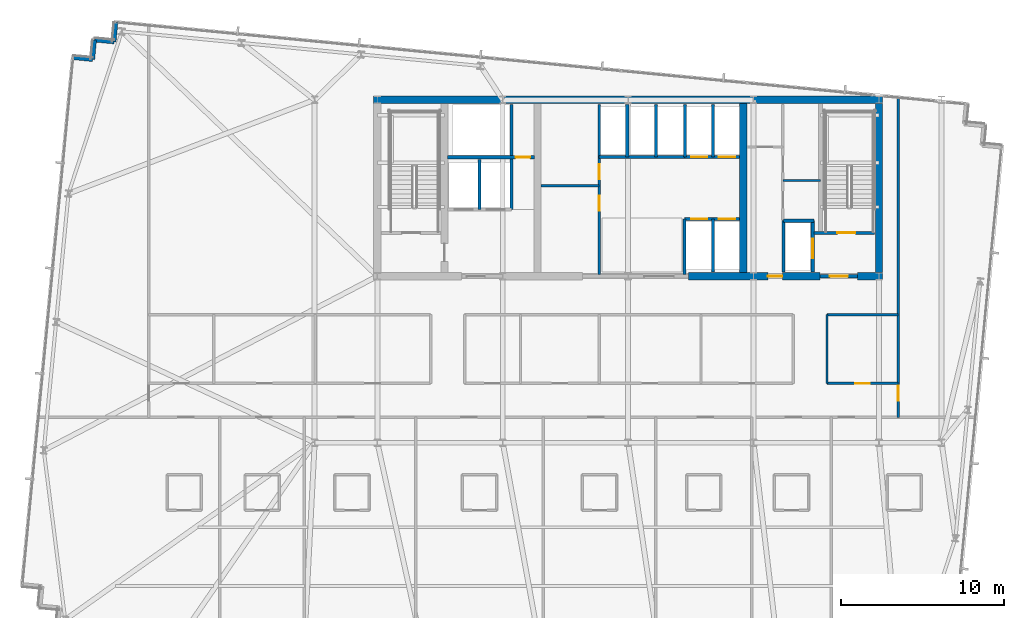
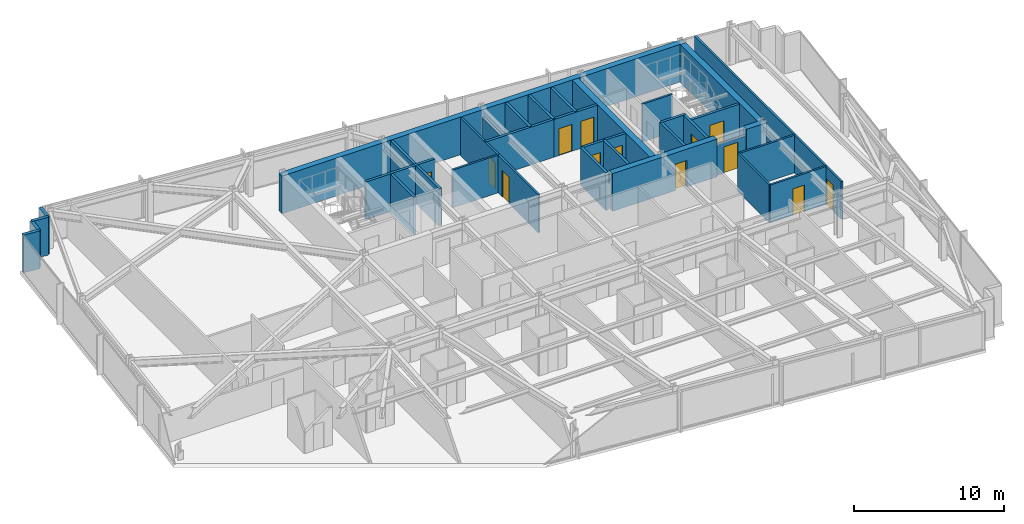
# One storey, part 31 of 38: 33 walls, 13 doors, 13 openings.
"""IFC4 building model written with IfcOpenShell, lengths in metres."""

from ifc_helpers import new_model, si_unit, direction, frame, frame_2d, origin, place, context, subcontext, project, spatial, rectangle, extrude, material, layer, layer_set, type_object, element, fill, save


model = new_model("IFC4")

# Units and contexts
model_context = context("Model", 3, precision=1e-05, world=origin(), true_north=direction((0.0, 1.0)))
body_context = subcontext(model_context, "Body", "Model", "MODEL_VIEW")
ifc_project = project(units=[si_unit("LENGTHUNIT", "METRE"), si_unit("AREAUNIT", "SQUARE_METRE"), si_unit("VOLUMEUNIT", "CUBIC_METRE"), si_unit("PLANEANGLEUNIT", "RADIAN"), si_unit("MASSUNIT", "GRAM", prefix="KILO")], contexts=[model_context])

# Site, building, storey
site_placement = place(None, origin())
site = spatial("IfcSite", under=ifc_project, at=site_placement, CompositionType="ELEMENT")
building_placement = place(site_placement, origin())
building = spatial("IfcBuilding", under=site, at=building_placement, Name="Yelkora Congress Tower", CompositionType="ELEMENT")
storey_placement = place(building_placement, frame((0.0, 0.0, 172.10009765625)))
storey = spatial("IfcBuildingStorey", under=building, at=storey_placement, Name="L47", CompositionType="ELEMENT", Elevation=172.10009765625)

# Wall
ifc_material_1 = material(Name="Concrete C60/75", Category="concrete")
ifc_layer_1 = layer(ifc_material_1, 0.449951171875)
ifc_layer_set_1 = layer_set([ifc_layer_1], Name="Concrete C60/75")
wall_type_1 = type_object("IfcWallType", Name="WALL-CORE-INT-450", PredefinedType="SHEAR", material=ifc_layer_set_1)
wall_1_placement = place(storey_placement, frame((22.81494140625, 46.199951171875, 0.0), z_axis=(0.0, 0.0, 1.0), x_axis=(1.0, 0.0, 0.0)))
element("IfcWall", 1, at=wall_1_placement, inside=storey, type_object=wall_type_1, Name="L47 Rear Core North Shear Wall", PredefinedType="SHEAR", context=body_context, shape_type="SweptSolid", body=[
    extrude(rectangle(XDim=31.170166015625, YDim=0.449951171875, at=frame_2d((15.5849609375, 0.0))), origin(), (0.0, 0.0, 1.0), 3.079833984375),
])

# Wall, opening, door
wall_2_placement = place(storey_placement, frame((42.10009765625, 35.39990234375, 0.0), z_axis=(0.0, 0.0, 1.0), x_axis=(1.0, 0.0, 0.0)))
wall_2 = element("IfcWall", 2, at=wall_2_placement, inside=storey, type_object=wall_type_1, Name="L47 Rear Core South-East Shear Wall A", PredefinedType="SHEAR", context=body_context, shape_type="SweptSolid", body=[
    extrude(rectangle(XDim=8.0498046875, YDim=0.449951171875, at=frame_2d((4.02490234375, 0.0))), origin(), (0.0, 0.0, 1.0), 3.079833984375),
])
opening_1_placement = place(wall_2_placement, frame((4.85009765625, 0.0, 0.0)))
opening_1 = element("IfcOpeningElement", 3, at=opening_1_placement, cuts=wall_2, Name="Opening DR-090F6", PredefinedType="OPENING", context=body_context, shape_type="SweptSolid", body=[
    extrude(rectangle(XDim=0.89990234375, YDim=2.14990234375, at=frame_2d((0.449951171875, 1.074951171875))), frame((0.0, 0.23486328125, 0.0), z_axis=(0.0, -1.0, 0.0), x_axis=(1.0, 0.0, 0.0)), (0.0, 0.0, 1.0), 0.469970703125),
])
ifc_material_2 = material(Name="Painted steel riser fire door leaf", Category="steel")
door_type_1 = type_object("IfcDoorType", Name="DOOR-FD60-900", OperationType="NOTDEFINED", PredefinedType="DOOR", material=ifc_material_2)
door_1_placement = place(opening_1_placement, origin())
door_1 = element("IfcDoor", 4, at=door_1_placement, inside=storey, type_object=door_type_1, Name="L47 Core Washroom Lobby Door", OperationType="SINGLE_SWING_RIGHT", OverallHeight=2.14990234375, OverallWidth=0.89990234375, PredefinedType="DOOR", context=body_context, shape_type="SweptSolid", body=[
    extrude(rectangle(XDim=0.89990234375, YDim=2.14990234375, at=frame_2d((0.449951171875, 1.074951171875))), frame((0.0, 0.02490234375, 0.0), z_axis=(0.0, -1.0, 0.0), x_axis=(1.0, 0.0, 0.0)), (0.0, 0.0, 1.0), 0.050048828125),
])
fill(opening_1, door_1)

# Walls
wall_3_placement = place(storey_placement, frame((52.449951171875, 35.39990234375, 0.0), z_axis=(0.0, 0.0, 1.0), x_axis=(1.0, 0.0, 0.0)))
element("IfcWall", 5, at=wall_3_placement, inside=storey, type_object=wall_type_1, Name="L47 Rear Core South-East Shear Wall B", PredefinedType="SHEAR", context=body_context, shape_type="SweptSolid", body=[
    extrude(rectangle(XDim=1.53515625, YDim=0.449951171875, at=frame_2d((0.767578125, 0.0))), origin(), (0.0, 0.0, 1.0), 3.079833984375),
])
for number, where, z_axis, x_axis, name in (
    (6, (45.449951171875, 35.625, 0.0), (0.0, 0.0, 1.0), (0.0, 1.0, 0.0), "L47 Rear Core Cross Shear Wall C3"),
    (7, (53.760009765625, 35.625, 0.0), (0.0, 0.0, 1.0), (0.0, 1.0, 0.0), "L47 Rear Core Cross Shear Wall E"),
):
    element("IfcWall", number, at=place(storey_placement, frame(where, z_axis=z_axis, x_axis=x_axis)), inside=storey, type_object=wall_type_1, Name=name, PredefinedType="SHEAR", context=body_context, shape_type="SweptSolid", body=[
        extrude(rectangle(XDim=10.35009765625, YDim=0.449951171875, at=frame_2d((5.175048828125, 0.0))), origin(), (0.0, 0.0, 1.0), 3.079833984375),
    ])
ifc_material_3 = material(Name="Concrete C40/50", Category="concrete")
ifc_layer_2 = layer(ifc_material_3, 0.239990234375)
ifc_layer_set_2 = layer_set([ifc_layer_2], Name="Concrete C40/50")
wall_type_2 = type_object("IfcWallType", Name="WALL-EXT-LIMESTONE-240", PredefinedType="SOLIDWALL", material=ifc_layer_set_2)
wall_4_placement = place(storey_placement, frame((4.41064453125, 48.778564453125, 0.0), z_axis=(0.0, 0.0, 1.0), x_axis=(0.995397091755, -0.095836473879, 0.0)))
element("IfcWall", 8, at=wall_4_placement, inside=storey, type_object=wall_type_2, Name="L47 Serrated Corner Limestone Pier 6", PredefinedType="SOLIDWALL", context=body_context, shape_type="SweptSolid", body=[
    extrude(rectangle(XDim=1.199951171875, YDim=0.239990234375, at=frame_2d((0.60009765625, 0.0))), origin(), (0.0, 0.0, 1.0), 3.079833984375),
])
wall_5_placement = place(storey_placement, frame((5.60498046875, 48.66357421875, 0.0), z_axis=(0.0, 0.0, 1.0), x_axis=(0.096018626938, 0.995379537303, 0.0)))
element("IfcWall", 9, at=wall_5_placement, inside=storey, type_object=wall_type_2, Name="L47 Serrated Corner Limestone Pier 7", PredefinedType="SOLIDWALL", context=body_context, shape_type="SweptSolid", body=[
    extrude(rectangle(XDim=1.2001953125, YDim=0.239990234375, at=frame_2d((0.60009765625, 0.0))), origin(), (0.0, 0.0, 1.0), 3.079833984375),
])
for number, where, z_axis, x_axis, name in (
    (10, (5.72021484375, 49.858154296875, 0.0), (0.0, 0.0, 1.0), (0.995397091755, -0.095836473879, 0.0), "L47 Serrated Corner Limestone Pier 8"),
    (11, (6.91455078125, 49.7431640625, 0.0), (0.0, 0.0, 1.0), (0.095836473879, 0.995397091755, 0.0), "L47 Serrated Corner Limestone Pier 9"),
):
    element("IfcWall", number, at=place(storey_placement, frame(where, z_axis=z_axis, x_axis=x_axis)), inside=storey, type_object=wall_type_2, Name=name, PredefinedType="SOLIDWALL", context=body_context, shape_type="SweptSolid", body=[
        extrude(rectangle(XDim=1.199951171875, YDim=0.239990234375, at=frame_2d((0.60009765625, 0.0))), origin(), (0.0, 0.0, 1.0), 3.079833984375),
    ])
ifc_material_4 = material(Name="Acoustic metal-stud gypsum partition", Category="gypsum")
ifc_layer_3 = layer(ifc_material_4, 0.14990234375)
ifc_layer_set_3 = layer_set([ifc_layer_3], Name="Acoustic metal-stud gypsum partition")
wall_type_3 = type_object("IfcWallType", Name="WALL-INT-150-NR", PredefinedType="PARTITIONING", material=ifc_layer_set_3)
wall_6_placement = place(storey_placement, frame((47.8798828125, 41.260009765625, 0.0), z_axis=(0.0, 0.0, 1.0), x_axis=(1.0, 0.0, 0.0)))
element("IfcWall", 12, at=wall_6_placement, inside=storey, type_object=wall_type_3, Name="L47 Partition Wall 25", PredefinedType="PARTITIONING", context=body_context, shape_type="SweptSolid", body=[
    extrude(rectangle(XDim=2.300048828125, YDim=0.14990234375, at=frame_2d((1.14990234375, 0.0))), origin(), (0.0, 0.0, 1.0), 3.079833984375),
])

# Wall, opening, door
wall_7_placement = place(storey_placement, frame((54.93408203125, 26.75, 0.0), z_axis=(0.0, 0.0, 1.0), x_axis=(0.0, 1.0, 0.0)))
wall_7 = element("IfcWall", 13, at=wall_7_placement, inside=storey, type_object=wall_type_3, Name="L47 Partition Wall 68", PredefinedType="PARTITIONING", context=body_context, shape_type="SweptSolid", body=[
    extrude(rectangle(XDim=19.63525390625, YDim=0.14990234375, at=frame_2d((9.817626953125, 0.0))), origin(), (0.0, 0.0, 1.0), 3.079833984375),
])
opening_2_placement = place(wall_7_placement, frame((1.030029296875, 0.0, 0.0)))
opening_2 = element("IfcOpeningElement", 14, at=opening_2_placement, cuts=wall_7, Name="Opening DR-090N", PredefinedType="OPENING", context=body_context, shape_type="SweptSolid", body=[
    extrude(rectangle(XDim=0.89990234375, YDim=2.14990234375, at=frame_2d((0.449951171875, 1.074951171875))), frame((0.0, 0.0849609375, 0.0), z_axis=(0.0, -1.0, 0.0), x_axis=(1.0, 0.0, 0.0)), (0.0, 0.0, 1.0), 0.169921875),
])
ifc_material_5 = material(Name="Moisture-resistant laminate door leaf", Category="wood")
door_type_2 = type_object("IfcDoorType", Name="DOOR-INT-900", OperationType="NOTDEFINED", PredefinedType="DOOR", material=ifc_material_5)
door_2_placement = place(opening_2_placement, origin())
door_2 = element("IfcDoor", 15, at=door_2_placement, inside=storey, type_object=door_type_2, Name="L47 E Wing Door", OperationType="SINGLE_SWING_RIGHT", OverallHeight=2.14990234375, OverallWidth=0.89990234375, PredefinedType="DOOR", context=body_context, shape_type="SweptSolid", body=[
    extrude(rectangle(XDim=0.89990234375, YDim=2.14990234375, at=frame_2d((0.449951171875, 1.074951171875))), frame((0.0, 0.02490234375, 0.0), z_axis=(0.0, -1.0, 0.0), x_axis=(1.0, 0.0, 0.0)), (0.0, 0.0, 1.0), 0.050048828125),
])
fill(opening_2, door_2)

# Walls
wall_8_placement = place(storey_placement, frame((50.580078125, 28.830078125, 0.0), z_axis=(0.0, 0.0, 1.0), x_axis=(0.0, 1.0, 0.0)))
element("IfcWall", 16, at=wall_8_placement, inside=storey, type_object=wall_type_3, Name="L47 Partition Wall 72", PredefinedType="PARTITIONING", context=body_context, shape_type="SweptSolid", body=[
    extrude(rectangle(XDim=4.219970703125, YDim=0.14990234375, at=frame_2d((2.10986328125, 0.0))), origin(), (0.0, 0.0, 1.0), 3.079833984375),
])
wall_9_placement = place(storey_placement, frame((50.580078125, 33.050048828125, 0.0), z_axis=(0.0, 0.0, 1.0), x_axis=(1.0, 0.0, 0.0)))
element("IfcWall", 17, at=wall_9_placement, inside=storey, type_object=wall_type_3, Name="L47 Partition Wall 75", PredefinedType="PARTITIONING", context=body_context, shape_type="SweptSolid", body=[
    extrude(rectangle(XDim=4.35400390625, YDim=0.14990234375, at=frame_2d((2.177001953125, 0.0))), origin(), (0.0, 0.0, 1.0), 3.079833984375),
])

# Wall, opening, door
wall_10_placement = place(storey_placement, frame((50.590087890625, 28.830078125, 0.0), z_axis=(0.0, 0.0, 1.0), x_axis=(1.0, 0.0, 0.0)))
wall_10 = element("IfcWall", 18, at=wall_10_placement, inside=storey, type_object=wall_type_3, Name="L47 Partition Wall 83", PredefinedType="PARTITIONING", context=body_context, shape_type="SweptSolid", body=[
    extrude(rectangle(XDim=4.323974609375, YDim=0.14990234375, at=frame_2d((2.162109375, 0.0))), origin(), (0.0, 0.0, 1.0), 3.079833984375),
])
opening_3_placement = place(wall_10_placement, frame((1.7119140625, 0.0, 0.0)))
opening_3 = element("IfcOpeningElement", 19, at=opening_3_placement, cuts=wall_10, Name="Opening DR-090N", PredefinedType="OPENING", context=body_context, shape_type="SweptSolid", body=[
    extrude(rectangle(XDim=0.89990234375, YDim=2.14990234375, at=frame_2d((0.449951171875, 1.074951171875))), frame((0.0, 0.0849609375, 0.0), z_axis=(0.0, -1.0, 0.0), x_axis=(1.0, 0.0, 0.0)), (0.0, 0.0, 1.0), 0.169921875),
])
door_3_placement = place(opening_3_placement, origin())
door_3 = element("IfcDoor", 20, at=door_3_placement, inside=storey, type_object=door_type_2, Name="L47 Delegate Kiosk Door", OperationType="SINGLE_SWING_RIGHT", OverallHeight=2.14990234375, OverallWidth=0.89990234375, PredefinedType="DOOR", context=body_context, shape_type="SweptSolid", body=[
    extrude(rectangle(XDim=0.89990234375, YDim=2.14990234375, at=frame_2d((0.449951171875, 1.074951171875))), frame((0.0, 0.02490234375, 0.0), z_axis=(0.0, -1.0, 0.0), x_axis=(1.0, 0.0, 0.0)), (0.0, 0.0, 1.0), 0.050048828125),
])
fill(opening_3, door_3)

# Wall
ifc_material_6 = material(Name="Twin-stud fire-rated gypsum partition", Category="gypsum")
ifc_layer_4 = layer(ifc_material_6, 0.14990234375)
ifc_layer_set_4 = layer_set([ifc_layer_4], Name="Twin-stud fire-rated gypsum partition")
wall_type_4 = type_object("IfcWallType", Name="WALL-INT-150-R60", PredefinedType="PARTITIONING", material=ifc_layer_set_4)
wall_11_placement = place(storey_placement, frame((33.050048828125, 40.949951171875, 0.0), z_axis=(0.0, 0.0, 1.0), x_axis=(1.0, 0.0, 0.0)))
element("IfcWall", 21, at=wall_11_placement, inside=storey, type_object=wall_type_4, Name="L47 Partition Wall 11", PredefinedType="PARTITIONING", context=body_context, shape_type="SweptSolid", body=[
    extrude(rectangle(XDim=3.570068359375, YDim=0.14990234375, at=frame_2d((1.78515625, 0.0))), origin(), (0.0, 0.0, 1.0), 3.079833984375),
])

# Wall, openings, doors
wall_12_placement = place(storey_placement, frame((36.6201171875, 35.5, 0.0), z_axis=(0.0, 0.0, 1.0), x_axis=(0.0, 1.0, 0.0)))
wall_12 = element("IfcWall", 22, at=wall_12_placement, inside=storey, type_object=wall_type_4, Name="L47 Partition Wall 12", PredefinedType="PARTITIONING", context=body_context, shape_type="SweptSolid", body=[
    extrude(rectangle(XDim=10.419921875, YDim=0.14990234375, at=frame_2d((5.2099609375, 0.0))), origin(), (0.0, 0.0, 1.0), 3.079833984375),
])
opening_4_placement = place(wall_12_placement, frame((3.919921875, 0.0, 0.0)))
opening_4 = element("IfcOpeningElement", 23, at=opening_4_placement, cuts=wall_12, Name="Opening DR-090F6", PredefinedType="OPENING", context=body_context, shape_type="SweptSolid", body=[
    extrude(rectangle(XDim=0.89990234375, YDim=2.14990234375, at=frame_2d((0.449951171875, 1.074951171875))), frame((0.0, 0.0849609375, 0.0), z_axis=(0.0, -1.0, 0.0), x_axis=(1.0, 0.0, 0.0)), (0.0, 0.0, 1.0), 0.169921875),
])
opening_5_placement = place(wall_12_placement, frame((5.85009765625, 0.0, 0.0)))
opening_5 = element("IfcOpeningElement", 24, at=opening_5_placement, cuts=wall_12, Name="Opening DR-090F6", PredefinedType="OPENING", context=body_context, shape_type="SweptSolid", body=[
    extrude(rectangle(XDim=0.89990234375, YDim=2.14990234375, at=frame_2d((0.449951171875, 1.074951171875))), frame((0.0, 0.0849609375, 0.0), z_axis=(0.0, -1.0, 0.0), x_axis=(1.0, 0.0, 0.0)), (0.0, 0.0, 1.0), 0.169921875),
])
door_4_placement = place(opening_4_placement, origin())
door_4 = element("IfcDoor", 25, at=door_4_placement, inside=storey, type_object=door_type_1, Name="L47 Telecom Store Door", OperationType="SINGLE_SWING_LEFT", OverallHeight=2.14990234375, OverallWidth=0.89990234375, PredefinedType="DOOR", context=body_context, shape_type="SweptSolid", body=[
    extrude(rectangle(XDim=0.89990234375, YDim=2.14990234375, at=frame_2d((0.449951171875, 1.074951171875))), frame((0.0, 0.02490234375, 0.0), z_axis=(0.0, -1.0, 0.0), x_axis=(1.0, 0.0, 0.0)), (0.0, 0.0, 1.0), 0.050048828125),
])
fill(opening_4, door_4)
door_5_placement = place(opening_5_placement, origin())
door_5 = element("IfcDoor", 26, at=door_5_placement, inside=storey, type_object=door_type_1, Name="L47 Archive Store Door", OperationType="SINGLE_SWING_RIGHT", OverallHeight=2.14990234375, OverallWidth=0.89990234375, PredefinedType="DOOR", context=body_context, shape_type="SweptSolid", body=[
    extrude(rectangle(XDim=0.89990234375, YDim=2.14990234375, at=frame_2d((0.449951171875, 1.074951171875))), frame((0.0, 0.02490234375, 0.0), z_axis=(0.0, -1.0, 0.0), x_axis=(1.0, 0.0, 0.0)), (0.0, 0.0, 1.0), 0.050048828125),
])
fill(opening_5, door_5)

# Walls
ifc_material_7 = material(Name="Autoclaved aerated concrete blockwork", Category="masonry")
ifc_layer_5 = layer(ifc_material_7, 0.199951171875)
ifc_layer_set_5 = layer_set([ifc_layer_5], Name="Autoclaved aerated concrete blockwork")
wall_type_5 = type_object("IfcWallType", Name="WALL-INT-200-R120", PredefinedType="PARTITIONING", material=ifc_layer_set_5)
wall_13_placement = place(storey_placement, frame((29.300048828125, 39.47998046875, 0.0), z_axis=(0.0, 0.0, 1.0), x_axis=(0.0, 1.0, 0.0)))
element("IfcWall", 27, at=wall_13_placement, inside=storey, type_object=wall_type_5, Name="L47 Partition Wall 4", PredefinedType="PARTITIONING", context=body_context, shape_type="SweptSolid", body=[
    extrude(rectangle(XDim=3.070068359375, YDim=0.199951171875, at=frame_2d((1.53515625, 0.0))), origin(), (0.0, 0.0, 1.0), 3.079833984375),
])
wall_14_placement = place(storey_placement, frame((31.260009765625, 39.47998046875, 0.0), z_axis=(0.0, 0.0, 1.0), x_axis=(0.0, 1.0, 0.0)))
element("IfcWall", 28, at=wall_14_placement, inside=storey, type_object=wall_type_5, Name="L47 Partition Wall 5", PredefinedType="PARTITIONING", context=body_context, shape_type="SweptSolid", body=[
    extrude(rectangle(XDim=6.43994140625, YDim=0.199951171875, at=frame_2d((3.219970703125, 0.0))), origin(), (0.0, 0.0, 1.0), 3.079833984375),
])

# Wall, opening, door
wall_15_placement = place(storey_placement, frame((27.320068359375, 42.679931640625, 0.0), z_axis=(0.0, 0.0, 1.0), x_axis=(1.0, 0.0, 0.0)))
wall_15 = element("IfcWall", 29, at=wall_15_placement, inside=storey, type_object=wall_type_5, Name="L47 Smoke Riser South Wall", PredefinedType="PARTITIONING", context=body_context, shape_type="SweptSolid", body=[
    extrude(rectangle(XDim=5.329833984375, YDim=0.199951171875, at=frame_2d((2.6650390625, 0.0))), origin(), (0.0, 0.0, 1.0), 3.079833984375),
])
opening_6_placement = place(wall_15_placement, frame((4.179931640625, 0.0, 0.0)))
opening_6 = element("IfcOpeningElement", 30, at=opening_6_placement, cuts=wall_15, Name="Opening DR-090F6", PredefinedType="OPENING", context=body_context, shape_type="SweptSolid", body=[
    extrude(rectangle(XDim=0.89990234375, YDim=2.14990234375, at=frame_2d((0.449951171875, 1.074951171875))), frame((0.0, 0.10986328125, 0.0), z_axis=(0.0, -1.0, 0.0), x_axis=(1.0, 0.0, 0.0)), (0.0, 0.0, 1.0), 0.219970703125),
])
door_6_placement = place(opening_6_placement, origin())
door_6 = element("IfcDoor", 31, at=door_6_placement, inside=storey, type_object=door_type_1, Name="L47 Riser Access Door", OperationType="SINGLE_SWING_LEFT", OverallHeight=2.14990234375, OverallWidth=0.89990234375, PredefinedType="DOOR", context=body_context, shape_type="SweptSolid", body=[
    extrude(rectangle(XDim=0.89990234375, YDim=2.14990234375, at=frame_2d((0.449951171875, 1.074951171875))), frame((0.0, 0.02490234375, 0.0), z_axis=(0.0, -1.0, 0.0), x_axis=(1.0, 0.0, 0.0)), (0.0, 0.0, 1.0), 0.050048828125),
])
fill(opening_6, door_6)

# Walls
wall_16_placement = place(storey_placement, frame((36.60009765625, 42.699951171875, 0.0), z_axis=(0.0, 0.0, 1.0), x_axis=(1.0, 0.0, 0.0)))
element("IfcWall", 32, at=wall_16_placement, inside=storey, type_object=wall_type_5, Name="L47 Partition Wall 8", PredefinedType="PARTITIONING", context=body_context, shape_type="SweptSolid", body=[
    extrude(rectangle(XDim=5.25, YDim=0.199951171875, at=frame_2d((2.625, 0.0))), origin(), (0.0, 0.0, 1.0), 3.079833984375),
])
wall_17_placement = place(storey_placement, frame((38.35009765625, 42.699951171875, 0.0), z_axis=(0.0, 0.0, 1.0), x_axis=(0.0, 1.0, 0.0)))
element("IfcWall", 33, at=wall_17_placement, inside=storey, type_object=wall_type_5, Name="L47 Partition Wall 9", PredefinedType="PARTITIONING", context=body_context, shape_type="SweptSolid", body=[
    extrude(rectangle(XDim=3.219970703125, YDim=0.199951171875, at=frame_2d((1.60986328125, 0.0))), origin(), (0.0, 0.0, 1.0), 2.474853515625),
])
wall_18_placement = place(storey_placement, frame((40.10009765625, 42.699951171875, 0.0), z_axis=(0.0, 0.0, 1.0), x_axis=(0.0, 1.0, 0.0)))
element("IfcWall", 34, at=wall_18_placement, inside=storey, type_object=wall_type_5, Name="L47 Partition Wall 10", PredefinedType="PARTITIONING", context=body_context, shape_type="SweptSolid", body=[
    extrude(rectangle(XDim=3.219970703125, YDim=0.199951171875, at=frame_2d((1.60986328125, 0.0))), origin(), (0.0, 0.0, 1.0), 3.079833984375),
])

# Wall, openings, doors
wall_19_placement = place(storey_placement, frame((41.85009765625, 38.89990234375, 0.0), z_axis=(0.0, 0.0, 1.0), x_axis=(1.0, 0.0, 0.0)))
wall_19 = element("IfcWall", 35, at=wall_19_placement, inside=storey, type_object=wall_type_5, Name="L47 Partition Wall 13", PredefinedType="PARTITIONING", context=body_context, shape_type="SweptSolid", body=[
    extrude(rectangle(XDim=3.369873046875, YDim=0.199951171875, at=frame_2d((1.68505859375, 0.0))), origin(), (0.0, 0.0, 1.0), 3.079833984375),
])
opening_7_placement = place(wall_19_placement, frame((0.39990234375, 0.0, 0.0)))
opening_7 = element("IfcOpeningElement", 36, at=opening_7_placement, cuts=wall_19, Name="Opening LD-PS10", PredefinedType="OPENING", context=body_context, shape_type="SweptSolid", body=[
    extrude(rectangle(XDim=1.0, YDim=2.199951171875, at=frame_2d((0.5, 1.10009765625))), frame((0.0, 0.10986328125, 0.0), z_axis=(0.0, -1.0, 0.0), x_axis=(1.0, 0.0, 0.0)), (0.0, 0.0, 1.0), 0.219970703125),
])
opening_8_placement = place(wall_19_placement, frame((2.10009765625, 0.0, 0.0)))
opening_8 = element("IfcOpeningElement", 37, at=opening_8_placement, cuts=wall_19, Name="Opening LD-PS10", PredefinedType="OPENING", context=body_context, shape_type="SweptSolid", body=[
    extrude(rectangle(XDim=1.0, YDim=2.199951171875, at=frame_2d((0.5, 1.10009765625))), frame((0.0, 0.10986328125, 0.0), z_axis=(0.0, -1.0, 0.0), x_axis=(1.0, 0.0, 0.0)), (0.0, 0.0, 1.0), 0.219970703125),
])
ifc_material_8 = material(Name="Champagne stainless steel landing door", Category="steel")
door_type_3 = type_object("IfcDoorType", Name="DOOR-LIFT-PAS-1000", OperationType="DOUBLE_DOOR_SLIDING", PredefinedType="DOOR", material=ifc_material_8)
door_7_placement = place(opening_7_placement, origin())
door_7 = element("IfcDoor", 38, at=door_7_placement, inside=storey, type_object=door_type_3, Name="Lift Landing Door LF-P5 L47", OperationType="DOUBLE_DOOR_SLIDING", OverallHeight=2.199951171875, OverallWidth=1.0, PredefinedType="DOOR", context=body_context, shape_type="SweptSolid", body=[
    extrude(rectangle(XDim=1.0, YDim=2.199951171875, at=frame_2d((0.5, 1.10009765625))), frame((0.0, 0.02490234375, 0.0), z_axis=(0.0, -1.0, 0.0), x_axis=(1.0, 0.0, 0.0)), (0.0, 0.0, 1.0), 0.050048828125),
])
fill(opening_7, door_7)
door_8_placement = place(opening_8_placement, origin())
door_8 = element("IfcDoor", 39, at=door_8_placement, inside=storey, type_object=door_type_3, Name="Lift Landing Door LF-P6 L47", OperationType="DOUBLE_DOOR_SLIDING", OverallHeight=2.199951171875, OverallWidth=1.0, PredefinedType="DOOR", context=body_context, shape_type="SweptSolid", body=[
    extrude(rectangle(XDim=1.0, YDim=2.199951171875, at=frame_2d((0.5, 1.10009765625))), frame((0.0, 0.02490234375, 0.0), z_axis=(0.0, -1.0, 0.0), x_axis=(1.0, 0.0, 0.0)), (0.0, 0.0, 1.0), 0.050048828125),
])
fill(opening_8, door_8)

wall_20_placement = place(storey_placement, frame((41.85009765625, 42.699951171875, 0.0), z_axis=(0.0, 0.0, 1.0), x_axis=(1.0, 0.0, 0.0)))
wall_20 = element("IfcWall", 40, at=wall_20_placement, inside=storey, type_object=wall_type_5, Name="L47 Partition Wall 14", PredefinedType="PARTITIONING", context=body_context, shape_type="SweptSolid", body=[
    extrude(rectangle(XDim=3.369873046875, YDim=0.199951171875, at=frame_2d((1.68505859375, 0.0))), origin(), (0.0, 0.0, 1.0), 3.079833984375),
])
opening_9_placement = place(wall_20_placement, frame((0.39990234375, 0.0, 0.0)))
opening_9 = element("IfcOpeningElement", 41, at=opening_9_placement, cuts=wall_20, Name="Opening LD-PS10", PredefinedType="OPENING", context=body_context, shape_type="SweptSolid", body=[
    extrude(rectangle(XDim=1.0, YDim=2.199951171875, at=frame_2d((0.5, 1.10009765625))), frame((0.0, 0.10986328125, 0.0), z_axis=(0.0, -1.0, 0.0), x_axis=(1.0, 0.0, 0.0)), (0.0, 0.0, 1.0), 0.219970703125),
])
opening_10_placement = place(wall_20_placement, frame((2.10009765625, 0.0, 0.0)))
opening_10 = element("IfcOpeningElement", 42, at=opening_10_placement, cuts=wall_20, Name="Opening LD-PS10", PredefinedType="OPENING", context=body_context, shape_type="SweptSolid", body=[
    extrude(rectangle(XDim=1.0, YDim=2.199951171875, at=frame_2d((0.5, 1.10009765625))), frame((0.0, 0.10986328125, 0.0), z_axis=(0.0, -1.0, 0.0), x_axis=(1.0, 0.0, 0.0)), (0.0, 0.0, 1.0), 0.219970703125),
])
door_9_placement = place(opening_9_placement, origin())
door_9 = element("IfcDoor", 43, at=door_9_placement, inside=storey, type_object=door_type_3, Name="Lift Landing Door LF-P7 L47", OperationType="DOUBLE_DOOR_SLIDING", OverallHeight=2.199951171875, OverallWidth=1.0, PredefinedType="DOOR", context=body_context, shape_type="SweptSolid", body=[
    extrude(rectangle(XDim=1.0, YDim=2.199951171875, at=frame_2d((0.5, 1.10009765625))), frame((0.0, 0.02490234375, 0.0), z_axis=(0.0, -1.0, 0.0), x_axis=(1.0, 0.0, 0.0)), (0.0, 0.0, 1.0), 0.050048828125),
])
fill(opening_9, door_9)
door_10_placement = place(opening_10_placement, origin())
door_10 = element("IfcDoor", 44, at=door_10_placement, inside=storey, type_object=door_type_3, Name="Lift Landing Door LF-P8 L47", OperationType="DOUBLE_DOOR_SLIDING", OverallHeight=2.199951171875, OverallWidth=1.0, PredefinedType="DOOR", context=body_context, shape_type="SweptSolid", body=[
    extrude(rectangle(XDim=1.0, YDim=2.199951171875, at=frame_2d((0.5, 1.10009765625))), frame((0.0, 0.02490234375, 0.0), z_axis=(0.0, -1.0, 0.0), x_axis=(1.0, 0.0, 0.0)), (0.0, 0.0, 1.0), 0.050048828125),
])
fill(opening_10, door_10)

# Walls
wall_21_placement = place(storey_placement, frame((43.60009765625, 35.64990234375, 0.0), z_axis=(0.0, 0.0, 1.0), x_axis=(0.0, 1.0, 0.0)))
element("IfcWall", 45, at=wall_21_placement, inside=storey, type_object=wall_type_5, Name="L47 Partition Wall 15", PredefinedType="PARTITIONING", context=body_context, shape_type="SweptSolid", body=[
    extrude(rectangle(XDim=3.25, YDim=0.199951171875, at=frame_2d((1.625, 0.0))), origin(), (0.0, 0.0, 1.0), 3.079833984375),
])
wall_22_placement = place(storey_placement, frame((43.60009765625, 42.699951171875, 0.0), z_axis=(0.0, 0.0, 1.0), x_axis=(0.0, 1.0, 0.0)))
element("IfcWall", 46, at=wall_22_placement, inside=storey, type_object=wall_type_5, Name="L47 Partition Wall 16", PredefinedType="PARTITIONING", context=body_context, shape_type="SweptSolid", body=[
    extrude(rectangle(XDim=3.219970703125, YDim=0.199951171875, at=frame_2d((1.60986328125, 0.0))), origin(), (0.0, 0.0, 1.0), 3.079833984375),
])
wall_23_placement = place(storey_placement, frame((41.85009765625, 35.5, 0.0), z_axis=(0.0, 0.0, 1.0), x_axis=(0.0, 1.0, 0.0)))
element("IfcWall", 47, at=wall_23_placement, inside=storey, type_object=wall_type_5, Name="L47 Partition Wall 17", PredefinedType="PARTITIONING", context=body_context, shape_type="SweptSolid", body=[
    extrude(rectangle(XDim=3.39990234375, YDim=0.199951171875, at=frame_2d((1.699951171875, 0.0))), origin(), (0.0, 0.0, 1.0), 3.079833984375),
])
wall_24_placement = place(storey_placement, frame((41.8798828125, 42.699951171875, 0.0), z_axis=(0.0, 0.0, 1.0), x_axis=(0.0, 1.0, 0.0)))
element("IfcWall", 48, at=wall_24_placement, inside=storey, type_object=wall_type_5, Name="L47 Partition Wall 18", PredefinedType="PARTITIONING", context=body_context, shape_type="SweptSolid", body=[
    extrude(rectangle(XDim=3.219970703125, YDim=0.199951171875, at=frame_2d((1.60986328125, 0.0))), origin(), (0.0, 0.0, 1.0), 3.079833984375),
])

# Wall, opening, door
wall_25_placement = place(storey_placement, frame((49.780029296875, 38.050048828125, 0.0), z_axis=(0.0, 0.0, 1.0), x_axis=(1.0, 0.0, 0.0)))
wall_25 = element("IfcWall", 49, at=wall_25_placement, inside=storey, type_object=wall_type_5, Name="L47 Stair ST-02 Enclosure Wall", PredefinedType="PARTITIONING", context=body_context, shape_type="SweptSolid", body=[
    extrude(rectangle(XDim=3.719970703125, YDim=0.199951171875, at=frame_2d((1.85986328125, 0.0))), origin(), (0.0, 0.0, 1.0), 3.079833984375),
])
opening_11_placement = place(wall_25_placement, frame((1.436279296875, 0.0, 0.0)))
opening_11 = element("IfcOpeningElement", 50, at=opening_11_placement, cuts=wall_25, Name="Opening DR-110F9", PredefinedType="OPENING", context=body_context, shape_type="SweptSolid", body=[
    extrude(rectangle(XDim=1.10009765625, YDim=2.14990234375, at=frame_2d((0.550048828125, 1.074951171875))), frame((0.0, 0.10986328125, 0.0), z_axis=(0.0, -1.0, 0.0), x_axis=(1.0, 0.0, 0.0)), (0.0, 0.0, 1.0), 0.219970703125),
])
ifc_material_9 = material(Name="Galvanised steel fire door leaf", Category="steel")
door_type_4 = type_object("IfcDoorType", Name="DOOR-FD90-1100", OperationType="NOTDEFINED", PredefinedType="DOOR", material=ifc_material_9)
door_11_placement = place(opening_11_placement, origin())
door_11 = element("IfcDoor", 51, at=door_11_placement, inside=storey, type_object=door_type_4, Name="L47 Stair ST-02 Entry Door", OperationType="SINGLE_SWING_LEFT", OverallHeight=2.14990234375, OverallWidth=1.10009765625, PredefinedType="DOOR", context=body_context, shape_type="SweptSolid", body=[
    extrude(rectangle(XDim=1.10009765625, YDim=2.14990234375, at=frame_2d((0.550048828125, 1.074951171875))), frame((0.0, 0.02490234375, 0.0), z_axis=(0.0, -1.0, 0.0), x_axis=(1.0, 0.0, 0.0)), (0.0, 0.0, 1.0), 0.050048828125),
])
fill(opening_11, door_11)

wall_26_placement = place(storey_placement, frame((50.14990234375, 35.39990234375, 0.0), z_axis=(0.0, 0.0, 1.0), x_axis=(1.0, 0.0, 0.0)))
wall_26 = element("IfcWall", 52, at=wall_26_placement, inside=storey, type_object=wall_type_5, Name="L47 Partition Wall 20", PredefinedType="PARTITIONING", context=body_context, shape_type="SweptSolid", body=[
    extrude(rectangle(XDim=2.300048828125, YDim=0.199951171875, at=frame_2d((1.14990234375, 0.0))), origin(), (0.0, 0.0, 1.0), 2.474853515625),
])
opening_12_placement = place(wall_26_placement, frame((0.60009765625, 0.0, 0.0)))
opening_12 = element("IfcOpeningElement", 53, at=opening_12_placement, cuts=wall_26, Name="Opening DR-110F9", PredefinedType="OPENING", context=body_context, shape_type="SweptSolid", body=[
    extrude(rectangle(XDim=1.10009765625, YDim=2.14990234375, at=frame_2d((0.550048828125, 1.074951171875))), frame((0.0, 0.10986328125, 0.0), z_axis=(0.0, -1.0, 0.0), x_axis=(1.0, 0.0, 0.0)), (0.0, 0.0, 1.0), 0.219970703125),
])
door_12_placement = place(opening_12_placement, origin())
door_12 = element("IfcDoor", 54, at=door_12_placement, inside=storey, type_object=door_type_4, Name="L47 East Stair Lobby Door", OperationType="SINGLE_SWING_RIGHT", OverallHeight=2.14990234375, OverallWidth=1.10009765625, PredefinedType="DOOR", context=body_context, shape_type="SweptSolid", body=[
    extrude(rectangle(XDim=1.10009765625, YDim=2.14990234375, at=frame_2d((0.550048828125, 1.074951171875))), frame((0.0, 0.02490234375, 0.0), z_axis=(0.0, -1.0, 0.0), x_axis=(1.0, 0.0, 0.0)), (0.0, 0.0, 1.0), 0.050048828125),
])
fill(opening_12, door_12)

wall_27_placement = place(storey_placement, frame((49.699951171875, 35.64990234375, 0.0), z_axis=(0.0, 0.0, 1.0), x_axis=(0.0, 1.0, 0.0)))
wall_27 = element("IfcWall", 55, at=wall_27_placement, inside=storey, type_object=wall_type_5, Name="L47 Partition Wall 21", PredefinedType="PARTITIONING", context=body_context, shape_type="SweptSolid", body=[
    extrude(rectangle(XDim=3.150146484375, YDim=0.199951171875, at=frame_2d((1.5751953125, 0.0))), origin(), (0.0, 0.0, 1.0), 3.079833984375),
])
opening_13_placement = place(wall_27_placement, frame((0.85009765625, 0.0, 0.0)))
opening_13 = element("IfcOpeningElement", 56, at=opening_13_placement, cuts=wall_27, Name="Opening LD-SV12", PredefinedType="OPENING", context=body_context, shape_type="SweptSolid", body=[
    extrude(rectangle(XDim=1.199951171875, YDim=2.199951171875, at=frame_2d((0.60009765625, 1.10009765625))), frame((0.0, 0.10986328125, 0.0), z_axis=(0.0, -1.0, 0.0), x_axis=(1.0, 0.0, 0.0)), (0.0, 0.0, 1.0), 0.219970703125),
])
ifc_material_10 = material(Name="Heavy-duty stainless steel landing door", Category="steel")
door_type_5 = type_object("IfcDoorType", Name="DOOR-LIFT-SRV-1200", OperationType="DOUBLE_DOOR_SLIDING", PredefinedType="DOOR", material=ifc_material_10)
door_13_placement = place(opening_13_placement, origin())
door_13 = element("IfcDoor", 57, at=door_13_placement, inside=storey, type_object=door_type_5, Name="Service Lift Landing Door LF-SV1 L47", OperationType="DOUBLE_DOOR_SLIDING", OverallHeight=2.199951171875, OverallWidth=1.199951171875, PredefinedType="DOOR", context=body_context, shape_type="SweptSolid", body=[
    extrude(rectangle(XDim=1.199951171875, YDim=2.199951171875, at=frame_2d((0.60009765625, 1.10009765625))), frame((0.0, 0.02490234375, 0.0), z_axis=(0.0, -1.0, 0.0), x_axis=(1.0, 0.0, 0.0)), (0.0, 0.0, 1.0), 0.050048828125),
])
fill(opening_13, door_13)

# Walls
wall_28_placement = place(storey_placement, frame((47.919921875, 35.64990234375, 0.0), z_axis=(0.0, 0.0, 1.0), x_axis=(0.0, 1.0, 0.0)))
element("IfcWall", 58, at=wall_28_placement, inside=storey, type_object=wall_type_5, Name="L47 Partition Wall 22", PredefinedType="PARTITIONING", context=body_context, shape_type="SweptSolid", body=[
    extrude(rectangle(XDim=3.150146484375, YDim=0.199951171875, at=frame_2d((1.5751953125, 0.0))), origin(), (0.0, 0.0, 1.0), 3.079833984375),
])
wall_29_placement = place(storey_placement, frame((47.919921875, 38.800048828125, 0.0), z_axis=(0.0, 0.0, 1.0), x_axis=(1.0, 0.0, 0.0)))
element("IfcWall", 59, at=wall_29_placement, inside=storey, type_object=wall_type_5, Name="L47 Partition Wall 23", PredefinedType="PARTITIONING", context=body_context, shape_type="SweptSolid", body=[
    extrude(rectangle(XDim=1.860107421875, YDim=0.199951171875, at=frame_2d((0.93017578125, 0.0))), origin(), (0.0, 0.0, 1.0), 3.079833984375),
])

save(model, "model.ifc")
